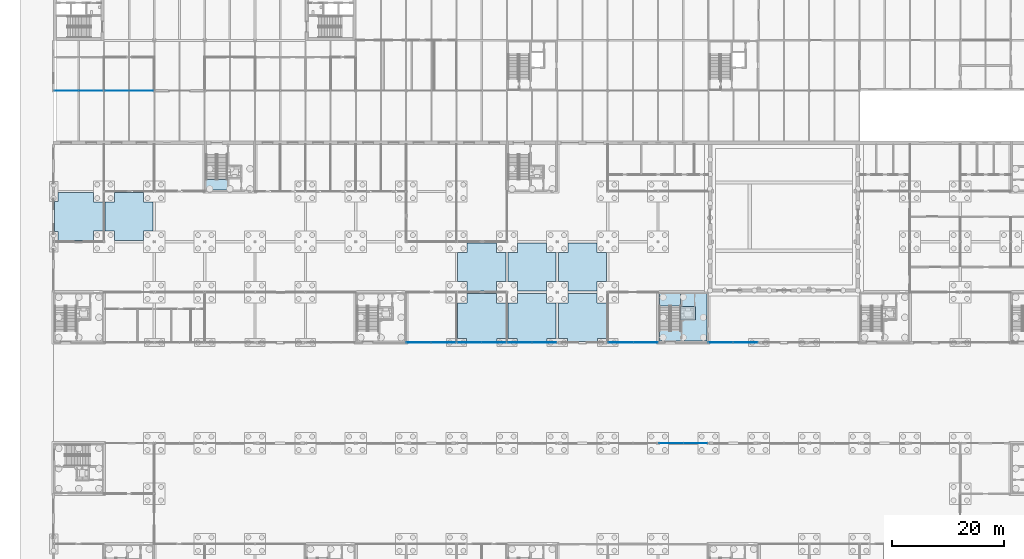
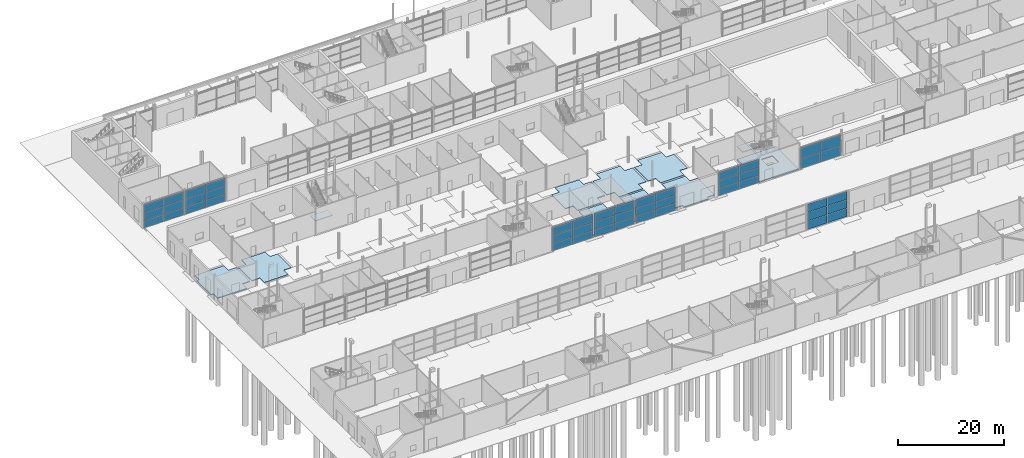
# One storey, part 55 of 97: 46 plates, 12 slabs, 10 elements without a shape of their own.
"""IFC4 building model written with IfcOpenShell, lengths in metres."""

from ifc_helpers import new_model, si_unit, direction, frame, origin, origin_2d, place, context, subcontext, project, spatial, polyline, rectangle, outline, extrude, material, layer, layer_set, type_object, element, aggregate, save


model = new_model("IFC4")

# Units and contexts
model_context = context("Model", 3, precision=1e-05, world=origin(), true_north=direction((0.0, 1.0)))
body_context = subcontext(model_context, "Body", "Model", "MODEL_VIEW")
ifc_project = project(units=[si_unit("LENGTHUNIT", "METRE"), si_unit("AREAUNIT", "SQUARE_METRE"), si_unit("VOLUMEUNIT", "CUBIC_METRE"), si_unit("PLANEANGLEUNIT", "RADIAN"), si_unit("MASSUNIT", "GRAM", prefix="KILO")], contexts=[model_context])

# Site, building, storey
site_placement = place(None, origin())
site = spatial("IfcSite", under=ifc_project, at=site_placement, CompositionType="ELEMENT")
building_placement = place(site_placement, origin())
building = spatial("IfcBuilding", under=site, at=building_placement, Name="Corbel Yard City Hall", CompositionType="ELEMENT")
storey_placement = place(building_placement, origin())
storey = spatial("IfcBuildingStorey", under=building, at=storey_placement, Name="L00", CompositionType="ELEMENT", Elevation=0.0)

# Slabs
ifc_material_1 = material(Name="Concrete N40 (40 MPa)", Category="concrete")
ifc_layer_1 = layer(ifc_material_1, 0.25)
ifc_layer_set_1 = layer_set([ifc_layer_1], Name="Concrete N40 (40 MPa)")
slab_type_1 = type_object("IfcSlabType", Name="CF1", PredefinedType="FLOOR", material=ifc_layer_set_1)
slab_1_placement = place(storey_placement, frame((0.0, 0.0, -0.25)))
element("IfcSlab", 1, at=slab_1_placement, inside=storey, type_object=slab_type_1, Name="Core floor slab", PredefinedType="FLOOR", context=body_context, shape_type="SweptSolid", body=[
    extrude(outline(polyline([(108.25, 45.25), (116.75, 45.25), (116.75, 53.75), (108.25, 53.75), (108.25, 45.25)]), holes=[polyline([(114.64990234375, 51.39990234375), (112.300048828125, 51.39990234375), (112.300048828125, 49.0), (114.64990234375, 49.0), (114.64990234375, 51.39990234375)])]), origin(), (0.0, 0.0, 1.0), 0.25),
])
ifc_layer_2 = layer(ifc_material_1, 0.300048828125)
ifc_layer_set_2 = layer_set([ifc_layer_2], Name="Concrete N40 (40 MPa)")
slab_type_2 = type_object("IfcSlabType", Name="CF2", PredefinedType="BASESLAB", material=ifc_layer_set_2)
slab_2_placement = place(storey_placement, frame((0.0, 0.0, -1.699951171875)))
element("IfcSlab", 2, at=slab_2_placement, inside=storey, type_object=slab_type_2, Name="Lift LP10 pit slab", PredefinedType="BASESLAB", context=body_context, shape_type="SweptSolid", body=[
    extrude(outline(polyline([(112.050048828125, 49.0), (114.64990234375, 49.0), (114.64990234375, 51.39990234375), (112.050048828125, 51.39990234375), (112.050048828125, 49.0)])), origin(), (0.0, 0.0, 1.0), 0.300048828125),
])
ifc_layer_3 = layer(ifc_material_1, 0.199951171875)
ifc_layer_set_3 = layer_set([ifc_layer_3], Name="Concrete N40 (40 MPa)")
slab_type_3 = type_object("IfcSlabType", Name="Ground slab 200", PredefinedType="BASESLAB", material=ifc_layer_set_3)
slab_3_placement = place(storey_placement, frame((0.0, 0.0, -0.199951171875)))
element("IfcSlab", 3, at=slab_3_placement, inside=storey, type_object=slab_type_3, Name="Ground slab on grade Citizens' Service Centre block", PredefinedType="BASESLAB", context=body_context, shape_type="SweptSolid", body=[
    extrude(outline(polyline([(73.800048828125, 45.199951171875), (79.199951171875, 45.199951171875), (79.199951171875, 45.75), (80.800048828125, 45.75), (80.800048828125, 52.10009765625), (79.10009765625, 52.10009765625), (79.10009765625, 53.800048828125), (73.89990234375, 53.800048828125), (73.89990234375, 52.10009765625), (72.199951171875, 52.10009765625), (72.199951171875, 45.75), (73.800048828125, 45.75), (73.800048828125, 45.199951171875)])), origin(), (0.0, 0.0, 1.0), 0.199951171875),
])
slab_4_placement = place(storey_placement, frame((0.0, 0.0, -0.199951171875)))
element("IfcSlab", 4, at=slab_4_placement, inside=storey, type_object=slab_type_3, Name="Ground slab on grade Citizens' Service Centre block", PredefinedType="BASESLAB", context=body_context, shape_type="SweptSolid", body=[
    extrude(outline(polyline([(79.10009765625, 55.89990234375), (80.800048828125, 55.89990234375), (80.800048828125, 61.10009765625), (79.10009765625, 61.10009765625), (79.10009765625, 62.800048828125), (73.89990234375, 62.800048828125), (73.89990234375, 61.10009765625), (72.199951171875, 61.10009765625), (72.199951171875, 55.89990234375), (73.89990234375, 55.89990234375), (73.89990234375, 54.199951171875), (79.10009765625, 54.199951171875), (79.10009765625, 55.89990234375)])), origin(), (0.0, 0.0, 1.0), 0.199951171875),
])
slab_5_placement = place(storey_placement, frame((0.0, 0.0, -0.199951171875)))
element("IfcSlab", 5, at=slab_5_placement, inside=storey, type_object=slab_type_3, Name="Ground slab on grade Citizens' Service Centre block", PredefinedType="BASESLAB", context=body_context, shape_type="SweptSolid", body=[
    extrude(outline(polyline([(0.199951171875, 64.800048828125), (0.75, 64.800048828125), (0.75, 63.199951171875), (7.10009765625, 63.199951171875), (7.10009765625, 64.89990234375), (8.800048828125, 64.89990234375), (8.800048828125, 70.10009765625), (7.10009765625, 70.10009765625), (7.10009765625, 71.800048828125), (0.75, 71.800048828125), (0.75, 70.199951171875), (0.199951171875, 70.199951171875), (0.199951171875, 64.800048828125)])), origin(), (0.0, 0.0, 1.0), 0.199951171875),
])
slab_6_placement = place(storey_placement, frame((0.0, 0.0, -0.199951171875)))
element("IfcSlab", 6, at=slab_6_placement, inside=storey, type_object=slab_type_3, Name="Ground slab on grade Citizens' Service Centre block", PredefinedType="BASESLAB", context=body_context, shape_type="SweptSolid", body=[
    extrude(outline(polyline([(10.89990234375, 71.800048828125), (10.89990234375, 70.10009765625), (9.199951171875, 70.10009765625), (9.199951171875, 64.89990234375), (10.89990234375, 64.89990234375), (10.89990234375, 63.199951171875), (16.10009765625, 63.199951171875), (16.10009765625, 64.89990234375), (17.800048828125, 64.89990234375), (17.800048828125, 70.10009765625), (16.10009765625, 70.10009765625), (16.10009765625, 71.800048828125), (10.89990234375, 71.800048828125)])), origin(), (0.0, 0.0, 1.0), 0.199951171875),
])
slab_7_placement = place(storey_placement, frame((0.0, 0.0, -0.199951171875)))
element("IfcSlab", 7, at=slab_7_placement, inside=storey, type_object=slab_type_3, Name="Ground slab on grade Civic Foyer", PredefinedType="BASESLAB", context=body_context, shape_type="SweptSolid", body=[
    extrude(outline(polyline([(81.199951171875, 52.10009765625), (81.199951171875, 45.75), (82.800048828125, 45.75), (82.800048828125, 45.199951171875), (88.199951171875, 45.199951171875), (88.199951171875, 45.75), (89.800048828125, 45.75), (89.800048828125, 52.10009765625), (88.10009765625, 52.10009765625), (88.10009765625, 53.800048828125), (82.89990234375, 53.800048828125), (82.89990234375, 52.10009765625), (81.199951171875, 52.10009765625)])), origin(), (0.0, 0.0, 1.0), 0.199951171875),
])
slab_8_placement = place(storey_placement, frame((0.0, 0.0, -0.199951171875)))
element("IfcSlab", 8, at=slab_8_placement, inside=storey, type_object=slab_type_3, Name="Ground slab on grade Civic Foyer", PredefinedType="BASESLAB", context=body_context, shape_type="SweptSolid", body=[
    extrude(outline(polyline([(98.800048828125, 52.10009765625), (97.10009765625, 52.10009765625), (97.10009765625, 53.800048828125), (91.89990234375, 53.800048828125), (91.89990234375, 52.10009765625), (90.199951171875, 52.10009765625), (90.199951171875, 45.75), (91.800048828125, 45.75), (91.800048828125, 45.199951171875), (97.199951171875, 45.199951171875), (97.199951171875, 45.75), (98.800048828125, 45.75), (98.800048828125, 52.10009765625)])), origin(), (0.0, 0.0, 1.0), 0.199951171875),
])
slab_9_placement = place(storey_placement, frame((0.0, 0.0, -0.199951171875)))
element("IfcSlab", 9, at=slab_9_placement, inside=storey, type_object=slab_type_3, Name="Ground slab on grade Civic Foyer", PredefinedType="BASESLAB", context=body_context, shape_type="SweptSolid", body=[
    extrude(outline(polyline([(82.89990234375, 55.89990234375), (82.89990234375, 54.199951171875), (88.10009765625, 54.199951171875), (88.10009765625, 55.89990234375), (89.800048828125, 55.89990234375), (89.800048828125, 61.10009765625), (88.10009765625, 61.10009765625), (88.10009765625, 62.800048828125), (82.89990234375, 62.800048828125), (82.89990234375, 61.10009765625), (81.199951171875, 61.10009765625), (81.199951171875, 55.89990234375), (82.89990234375, 55.89990234375)])), origin(), (0.0, 0.0, 1.0), 0.199951171875),
])
slab_10_placement = place(storey_placement, frame((0.0, 0.0, -0.199951171875)))
element("IfcSlab", 10, at=slab_10_placement, inside=storey, type_object=slab_type_3, Name="Ground slab on grade Civic Foyer", PredefinedType="BASESLAB", context=body_context, shape_type="SweptSolid", body=[
    extrude(outline(polyline([(97.10009765625, 62.800048828125), (91.89990234375, 62.800048828125), (91.89990234375, 61.10009765625), (90.199951171875, 61.10009765625), (90.199951171875, 55.89990234375), (91.89990234375, 55.89990234375), (91.89990234375, 54.199951171875), (97.10009765625, 54.199951171875), (97.10009765625, 55.89990234375), (98.800048828125, 55.89990234375), (98.800048828125, 61.10009765625), (97.10009765625, 61.10009765625), (97.10009765625, 62.800048828125)])), origin(), (0.0, 0.0, 1.0), 0.199951171875),
])

# Stair, slab
stair_type = type_object("IfcStairType", Name="ST2", PredefinedType="HALF_TURN_STAIR", material=ifc_material_1)
stair_1_placement = place(storey_placement, origin())
stair_1 = element("IfcStair", 11, at=stair_1_placement, inside=storey, type_object=stair_type, Name="Exit stair L00", PredefinedType="HALF_TURN_STAIR")
ifc_layer_4 = layer(ifc_material_1, 0.199951171875)
ifc_layer_set_4 = layer_set([ifc_layer_4], Name="Concrete N40 (40 MPa)")
slab_type_4 = type_object("IfcSlabType", Name="LN1", PredefinedType="LANDING", material=ifc_layer_set_4)
slab_11_placement = place(storey_placement, frame((0.0, 0.0, 2.800048828125)))
slab_11 = element("IfcSlab", 12, at=slab_11_placement, type_object=slab_type_4, Name="PS10 landing 1", PredefinedType="LANDING", context=body_context, shape_type="SweptSolid", body=[
    extrude(outline(polyline([(108.25, 51.530029296875), (112.050048828125, 51.530029296875), (112.050048828125, 53.75), (108.25, 53.75), (108.25, 51.530029296875)])), origin(), (0.0, 0.0, 1.0), 0.199951171875),
])
aggregate(stair_1, [slab_11])

stair_2_placement = place(storey_placement, origin())
stair_2 = element("IfcStair", 13, at=stair_2_placement, inside=storey, type_object=stair_type, Name="Exit stair L00", PredefinedType="HALF_TURN_STAIR")
slab_12_placement = place(storey_placement, frame((0.0, 0.0, 2.800048828125)))
slab_12 = element("IfcSlab", 14, at=slab_12_placement, type_object=slab_type_4, Name="PS13 landing 1", PredefinedType="LANDING", context=body_context, shape_type="SweptSolid", body=[
    extrude(outline(polyline([(27.25, 72.25), (31.050048828125, 72.25), (31.050048828125, 74.1201171875), (27.25, 74.1201171875), (27.25, 72.25)])), origin(), (0.0, 0.0, 1.0), 0.199951171875),
])
aggregate(stair_2, [slab_12])

# Curtain wall, plates
ifc_material_2 = material(Name="Aluminium extrusion", Category="aluminium")
ifc_layer_5 = layer(ifc_material_2, 0.25)
ifc_layer_set_5 = layer_set([ifc_layer_5], Name="Aluminium extrusion")
curtain_wall_type_1 = type_object("IfcCurtainWallType", Name="CW4", PredefinedType="USERDEFINED", material=ifc_layer_set_5)
curtain_wall_1_placement = place(storey_placement, origin())
curtain_wall_1 = element("IfcCurtainWall", 15, at=curtain_wall_1_placement, inside=storey, type_object=curtain_wall_type_1, Name="Curtain wall CW4 L00", ObjectType="CURTAIN WALL", PredefinedType="USERDEFINED")
ifc_material_3 = material(Name="Laminated toughened storefront glass", Category="glass")
ifc_layer_6 = layer(ifc_material_3, 0.0400390625)
ifc_layer_set_6 = layer_set([ifc_layer_6], Name="Laminated toughened storefront glass")
plate_type_1 = type_object("IfcPlateType", Name="PN5", PredefinedType="CURTAIN_PANEL", material=ifc_layer_set_6)
plate_1_placement = place(storey_placement, frame((65.226806640625, 45.0, 0.06494140625), z_axis=(0.0, 0.0, 1.0), x_axis=(1.0, 0.0, 0.0)))
plate_1 = element("IfcPlate", 16, at=plate_1_placement, type_object=plate_type_1, Name="CW4 panel 1.1", PredefinedType="CURTAIN_PANEL", context=body_context, shape_type="SweptSolid", body=[
    extrude(rectangle(XDim=4.32373046875, YDim=0.0400390625, at=origin_2d()), origin(), (0.0, 0.0, 1.0), 1.71728515625),
])
plate_2_placement = place(storey_placement, frame((65.226806640625, 45.0, 1.84716796875), z_axis=(0.0, 0.0, 1.0), x_axis=(1.0, 0.0, 0.0)))
plate_2 = element("IfcPlate", 17, at=plate_2_placement, type_object=plate_type_1, Name="CW4 panel 1.2", PredefinedType="CURTAIN_PANEL", context=body_context, shape_type="SweptSolid", body=[
    extrude(rectangle(XDim=4.32373046875, YDim=0.0400390625, at=origin_2d()), origin(), (0.0, 0.0, 1.0), 1.749755859375),
])
plate_3_placement = place(storey_placement, frame((65.226806640625, 45.0, 3.661865234375), z_axis=(0.0, 0.0, 1.0), x_axis=(1.0, 0.0, 0.0)))
plate_3 = element("IfcPlate", 18, at=plate_3_placement, type_object=plate_type_1, Name="CW4 panel 1.3", PredefinedType="CURTAIN_PANEL", context=body_context, shape_type="SweptSolid", body=[
    extrude(rectangle(XDim=4.32373046875, YDim=0.0400390625, at=origin_2d()), origin(), (0.0, 0.0, 1.0), 1.71728515625),
])
plate_4_placement = place(storey_placement, frame((69.61572265625, 45.0, 0.06494140625), z_axis=(0.0, 0.0, 1.0), x_axis=(1.0, 0.0, 0.0)))
plate_4 = element("IfcPlate", 19, at=plate_4_placement, type_object=plate_type_1, Name="CW4 panel 2.1", PredefinedType="CURTAIN_PANEL", context=body_context, shape_type="SweptSolid", body=[
    extrude(rectangle(XDim=4.32373046875, YDim=0.0400390625, at=origin_2d()), origin(), (0.0, 0.0, 1.0), 1.71728515625),
])
plate_5_placement = place(storey_placement, frame((69.61572265625, 45.0, 1.84716796875), z_axis=(0.0, 0.0, 1.0), x_axis=(1.0, 0.0, 0.0)))
plate_5 = element("IfcPlate", 20, at=plate_5_placement, type_object=plate_type_1, Name="CW4 panel 2.2", PredefinedType="CURTAIN_PANEL", context=body_context, shape_type="SweptSolid", body=[
    extrude(rectangle(XDim=4.32373046875, YDim=0.0400390625, at=origin_2d()), origin(), (0.0, 0.0, 1.0), 1.749755859375),
])
plate_6_placement = place(storey_placement, frame((69.61572265625, 45.0, 3.661865234375), z_axis=(0.0, 0.0, 1.0), x_axis=(1.0, 0.0, 0.0)))
plate_6 = element("IfcPlate", 21, at=plate_6_placement, type_object=plate_type_1, Name="CW4 panel 2.3", PredefinedType="CURTAIN_PANEL", context=body_context, shape_type="SweptSolid", body=[
    extrude(rectangle(XDim=4.32373046875, YDim=0.0400390625, at=origin_2d()), origin(), (0.0, 0.0, 1.0), 1.71728515625),
])
aggregate(curtain_wall_1, [plate_1, plate_2, plate_3, plate_4, plate_5, plate_6])

curtain_wall_2_placement = place(storey_placement, origin())
curtain_wall_2 = element("IfcCurtainWall", 22, at=curtain_wall_2_placement, inside=storey, type_object=curtain_wall_type_1, Name="Curtain wall CW4 L00", ObjectType="CURTAIN WALL", PredefinedType="USERDEFINED")
plate_7_placement = place(storey_placement, frame((74.344970703125, 45.0, 0.06494140625), z_axis=(0.0, 0.0, 1.0), x_axis=(1.0, 0.0, 0.0)))
plate_7 = element("IfcPlate", 23, at=plate_7_placement, type_object=plate_type_1, Name="CW4 panel 1.1", PredefinedType="CURTAIN_PANEL", context=body_context, shape_type="SweptSolid", body=[
    extrude(rectangle(XDim=4.2451171875, YDim=0.0400390625, at=origin_2d()), origin(), (0.0, 0.0, 1.0), 1.71728515625),
])
plate_8_placement = place(storey_placement, frame((74.344970703125, 45.0, 1.84716796875), z_axis=(0.0, 0.0, 1.0), x_axis=(1.0, 0.0, 0.0)))
plate_8 = element("IfcPlate", 24, at=plate_8_placement, type_object=plate_type_1, Name="CW4 panel 1.2", PredefinedType="CURTAIN_PANEL", context=body_context, shape_type="SweptSolid", body=[
    extrude(rectangle(XDim=4.2451171875, YDim=0.0400390625, at=origin_2d()), origin(), (0.0, 0.0, 1.0), 1.749755859375),
])
plate_9_placement = place(storey_placement, frame((74.344970703125, 45.0, 3.661865234375), z_axis=(0.0, 0.0, 1.0), x_axis=(1.0, 0.0, 0.0)))
plate_9 = element("IfcPlate", 25, at=plate_9_placement, type_object=plate_type_1, Name="CW4 panel 1.3", PredefinedType="CURTAIN_PANEL", context=body_context, shape_type="SweptSolid", body=[
    extrude(rectangle(XDim=4.2451171875, YDim=0.0400390625, at=origin_2d()), origin(), (0.0, 0.0, 1.0), 1.71728515625),
])
plate_10_placement = place(storey_placement, frame((78.655029296875, 45.0, 0.06494140625), z_axis=(0.0, 0.0, 1.0), x_axis=(1.0, 0.0, 0.0)))
plate_10 = element("IfcPlate", 26, at=plate_10_placement, type_object=plate_type_1, Name="CW4 panel 2.1", PredefinedType="CURTAIN_PANEL", context=body_context, shape_type="SweptSolid", body=[
    extrude(rectangle(XDim=4.2451171875, YDim=0.0400390625, at=origin_2d()), origin(), (0.0, 0.0, 1.0), 1.71728515625),
])
plate_11_placement = place(storey_placement, frame((78.655029296875, 45.0, 1.84716796875), z_axis=(0.0, 0.0, 1.0), x_axis=(1.0, 0.0, 0.0)))
plate_11 = element("IfcPlate", 27, at=plate_11_placement, type_object=plate_type_1, Name="CW4 panel 2.2", PredefinedType="CURTAIN_PANEL", context=body_context, shape_type="SweptSolid", body=[
    extrude(rectangle(XDim=4.2451171875, YDim=0.0400390625, at=origin_2d()), origin(), (0.0, 0.0, 1.0), 1.749755859375),
])
plate_12_placement = place(storey_placement, frame((78.655029296875, 45.0, 3.661865234375), z_axis=(0.0, 0.0, 1.0), x_axis=(1.0, 0.0, 0.0)))
plate_12 = element("IfcPlate", 28, at=plate_12_placement, type_object=plate_type_1, Name="CW4 panel 2.3", PredefinedType="CURTAIN_PANEL", context=body_context, shape_type="SweptSolid", body=[
    extrude(rectangle(XDim=4.2451171875, YDim=0.0400390625, at=origin_2d()), origin(), (0.0, 0.0, 1.0), 1.71728515625),
])
aggregate(curtain_wall_2, [plate_7, plate_8, plate_9, plate_10, plate_11, plate_12])

curtain_wall_3_placement = place(storey_placement, origin())
curtain_wall_3 = element("IfcCurtainWall", 29, at=curtain_wall_3_placement, inside=storey, type_object=curtain_wall_type_1, Name="Curtain wall CW4 L00", ObjectType="CURTAIN WALL", PredefinedType="USERDEFINED")
plate_13_placement = place(storey_placement, frame((83.344970703125, 45.0, 0.06494140625), z_axis=(0.0, 0.0, 1.0), x_axis=(1.0, 0.0, 0.0)))
plate_13 = element("IfcPlate", 30, at=plate_13_placement, type_object=plate_type_1, Name="CW4 panel 1.1", PredefinedType="CURTAIN_PANEL", context=body_context, shape_type="SweptSolid", body=[
    extrude(rectangle(XDim=4.2451171875, YDim=0.0400390625, at=origin_2d()), origin(), (0.0, 0.0, 1.0), 1.71728515625),
])
plate_14_placement = place(storey_placement, frame((83.344970703125, 45.0, 1.84716796875), z_axis=(0.0, 0.0, 1.0), x_axis=(1.0, 0.0, 0.0)))
plate_14 = element("IfcPlate", 31, at=plate_14_placement, type_object=plate_type_1, Name="CW4 panel 1.2", PredefinedType="CURTAIN_PANEL", context=body_context, shape_type="SweptSolid", body=[
    extrude(rectangle(XDim=4.2451171875, YDim=0.0400390625, at=origin_2d()), origin(), (0.0, 0.0, 1.0), 1.749755859375),
])
plate_15_placement = place(storey_placement, frame((83.344970703125, 45.0, 3.661865234375), z_axis=(0.0, 0.0, 1.0), x_axis=(1.0, 0.0, 0.0)))
plate_15 = element("IfcPlate", 32, at=plate_15_placement, type_object=plate_type_1, Name="CW4 panel 1.3", PredefinedType="CURTAIN_PANEL", context=body_context, shape_type="SweptSolid", body=[
    extrude(rectangle(XDim=4.2451171875, YDim=0.0400390625, at=origin_2d()), origin(), (0.0, 0.0, 1.0), 1.71728515625),
])
plate_16_placement = place(storey_placement, frame((87.655029296875, 45.0, 0.06494140625), z_axis=(0.0, 0.0, 1.0), x_axis=(1.0, 0.0, 0.0)))
plate_16 = element("IfcPlate", 33, at=plate_16_placement, type_object=plate_type_1, Name="CW4 panel 2.1", PredefinedType="CURTAIN_PANEL", context=body_context, shape_type="SweptSolid", body=[
    extrude(rectangle(XDim=4.2451171875, YDim=0.0400390625, at=origin_2d()), origin(), (0.0, 0.0, 1.0), 1.71728515625),
])
plate_17_placement = place(storey_placement, frame((87.655029296875, 45.0, 1.84716796875), z_axis=(0.0, 0.0, 1.0), x_axis=(1.0, 0.0, 0.0)))
plate_17 = element("IfcPlate", 34, at=plate_17_placement, type_object=plate_type_1, Name="CW4 panel 2.2", PredefinedType="CURTAIN_PANEL", context=body_context, shape_type="SweptSolid", body=[
    extrude(rectangle(XDim=4.2451171875, YDim=0.0400390625, at=origin_2d()), origin(), (0.0, 0.0, 1.0), 1.749755859375),
])
plate_18_placement = place(storey_placement, frame((87.655029296875, 45.0, 3.661865234375), z_axis=(0.0, 0.0, 1.0), x_axis=(1.0, 0.0, 0.0)))
plate_18 = element("IfcPlate", 35, at=plate_18_placement, type_object=plate_type_1, Name="CW4 panel 2.3", PredefinedType="CURTAIN_PANEL", context=body_context, shape_type="SweptSolid", body=[
    extrude(rectangle(XDim=4.2451171875, YDim=0.0400390625, at=origin_2d()), origin(), (0.0, 0.0, 1.0), 1.71728515625),
])
aggregate(curtain_wall_3, [plate_13, plate_14, plate_15, plate_16, plate_17, plate_18])

curtain_wall_4_placement = place(storey_placement, origin())
curtain_wall_4 = element("IfcCurtainWall", 36, at=curtain_wall_4_placement, inside=storey, type_object=curtain_wall_type_1, Name="Curtain wall CW4 L00", ObjectType="CURTAIN WALL", PredefinedType="USERDEFINED")
plate_19_placement = place(storey_placement, frame((101.38427734375, 45.0, 0.06494140625), z_axis=(0.0, 0.0, 1.0), x_axis=(1.0, 0.0, 0.0)))
plate_19 = element("IfcPlate", 37, at=plate_19_placement, type_object=plate_type_1, Name="CW4 panel 1.1", PredefinedType="CURTAIN_PANEL", context=body_context, shape_type="SweptSolid", body=[
    extrude(rectangle(XDim=4.32373046875, YDim=0.0400390625, at=origin_2d()), origin(), (0.0, 0.0, 1.0), 1.71728515625),
])
plate_20_placement = place(storey_placement, frame((101.38427734375, 45.0, 1.84716796875), z_axis=(0.0, 0.0, 1.0), x_axis=(1.0, 0.0, 0.0)))
plate_20 = element("IfcPlate", 38, at=plate_20_placement, type_object=plate_type_1, Name="CW4 panel 1.2", PredefinedType="CURTAIN_PANEL", context=body_context, shape_type="SweptSolid", body=[
    extrude(rectangle(XDim=4.32373046875, YDim=0.0400390625, at=origin_2d()), origin(), (0.0, 0.0, 1.0), 1.749755859375),
])
plate_21_placement = place(storey_placement, frame((101.38427734375, 45.0, 3.661865234375), z_axis=(0.0, 0.0, 1.0), x_axis=(1.0, 0.0, 0.0)))
plate_21 = element("IfcPlate", 39, at=plate_21_placement, type_object=plate_type_1, Name="CW4 panel 1.3", PredefinedType="CURTAIN_PANEL", context=body_context, shape_type="SweptSolid", body=[
    extrude(rectangle(XDim=4.32373046875, YDim=0.0400390625, at=origin_2d()), origin(), (0.0, 0.0, 1.0), 1.71728515625),
])
plate_22_placement = place(storey_placement, frame((105.773193359375, 45.0, 0.06494140625), z_axis=(0.0, 0.0, 1.0), x_axis=(1.0, 0.0, 0.0)))
plate_22 = element("IfcPlate", 40, at=plate_22_placement, type_object=plate_type_1, Name="CW4 panel 2.1", PredefinedType="CURTAIN_PANEL", context=body_context, shape_type="SweptSolid", body=[
    extrude(rectangle(XDim=4.32373046875, YDim=0.0400390625, at=origin_2d()), origin(), (0.0, 0.0, 1.0), 1.71728515625),
])
plate_23_placement = place(storey_placement, frame((105.773193359375, 45.0, 1.84716796875), z_axis=(0.0, 0.0, 1.0), x_axis=(1.0, 0.0, 0.0)))
plate_23 = element("IfcPlate", 41, at=plate_23_placement, type_object=plate_type_1, Name="CW4 panel 2.2", PredefinedType="CURTAIN_PANEL", context=body_context, shape_type="SweptSolid", body=[
    extrude(rectangle(XDim=4.32373046875, YDim=0.0400390625, at=origin_2d()), origin(), (0.0, 0.0, 1.0), 1.749755859375),
])
plate_24_placement = place(storey_placement, frame((105.773193359375, 45.0, 3.661865234375), z_axis=(0.0, 0.0, 1.0), x_axis=(1.0, 0.0, 0.0)))
plate_24 = element("IfcPlate", 42, at=plate_24_placement, type_object=plate_type_1, Name="CW4 panel 2.3", PredefinedType="CURTAIN_PANEL", context=body_context, shape_type="SweptSolid", body=[
    extrude(rectangle(XDim=4.32373046875, YDim=0.0400390625, at=origin_2d()), origin(), (0.0, 0.0, 1.0), 1.71728515625),
])
aggregate(curtain_wall_4, [plate_19, plate_20, plate_21, plate_22, plate_23, plate_24])

curtain_wall_5_placement = place(storey_placement, origin())
curtain_wall_5 = element("IfcCurtainWall", 43, at=curtain_wall_5_placement, inside=storey, type_object=curtain_wall_type_1, Name="Curtain wall CW4 L00", ObjectType="CURTAIN WALL", PredefinedType="USERDEFINED")
plate_25_placement = place(storey_placement, frame((2.344970703125, 90.0, 0.06494140625), z_axis=(0.0, 0.0, 1.0), x_axis=(1.0, 0.0, 0.0)))
plate_25 = element("IfcPlate", 44, at=plate_25_placement, type_object=plate_type_1, Name="CW4 panel 1.1", PredefinedType="CURTAIN_PANEL", context=body_context, shape_type="SweptSolid", body=[
    extrude(rectangle(XDim=4.2451171875, YDim=0.0400390625, at=origin_2d()), origin(), (0.0, 0.0, 1.0), 1.71728515625),
])
plate_26_placement = place(storey_placement, frame((2.344970703125, 90.0, 1.84716796875), z_axis=(0.0, 0.0, 1.0), x_axis=(1.0, 0.0, 0.0)))
plate_26 = element("IfcPlate", 45, at=plate_26_placement, type_object=plate_type_1, Name="CW4 panel 1.2", PredefinedType="CURTAIN_PANEL", context=body_context, shape_type="SweptSolid", body=[
    extrude(rectangle(XDim=4.2451171875, YDim=0.0400390625, at=origin_2d()), origin(), (0.0, 0.0, 1.0), 1.749755859375),
])
plate_27_placement = place(storey_placement, frame((2.344970703125, 90.0, 3.661865234375), z_axis=(0.0, 0.0, 1.0), x_axis=(1.0, 0.0, 0.0)))
plate_27 = element("IfcPlate", 46, at=plate_27_placement, type_object=plate_type_1, Name="CW4 panel 1.3", PredefinedType="CURTAIN_PANEL", context=body_context, shape_type="SweptSolid", body=[
    extrude(rectangle(XDim=4.2451171875, YDim=0.0400390625, at=origin_2d()), origin(), (0.0, 0.0, 1.0), 1.71728515625),
])
plate_28_placement = place(storey_placement, frame((6.655029296875, 90.0, 0.06494140625), z_axis=(0.0, 0.0, 1.0), x_axis=(1.0, 0.0, 0.0)))
plate_28 = element("IfcPlate", 47, at=plate_28_placement, type_object=plate_type_1, Name="CW4 panel 2.1", PredefinedType="CURTAIN_PANEL", context=body_context, shape_type="SweptSolid", body=[
    extrude(rectangle(XDim=4.2451171875, YDim=0.0400390625, at=origin_2d()), origin(), (0.0, 0.0, 1.0), 1.71728515625),
])
plate_29_placement = place(storey_placement, frame((6.655029296875, 90.0, 1.84716796875), z_axis=(0.0, 0.0, 1.0), x_axis=(1.0, 0.0, 0.0)))
plate_29 = element("IfcPlate", 48, at=plate_29_placement, type_object=plate_type_1, Name="CW4 panel 2.2", PredefinedType="CURTAIN_PANEL", context=body_context, shape_type="SweptSolid", body=[
    extrude(rectangle(XDim=4.2451171875, YDim=0.0400390625, at=origin_2d()), origin(), (0.0, 0.0, 1.0), 1.749755859375),
])
plate_30_placement = place(storey_placement, frame((6.655029296875, 90.0, 3.661865234375), z_axis=(0.0, 0.0, 1.0), x_axis=(1.0, 0.0, 0.0)))
plate_30 = element("IfcPlate", 49, at=plate_30_placement, type_object=plate_type_1, Name="CW4 panel 2.3", PredefinedType="CURTAIN_PANEL", context=body_context, shape_type="SweptSolid", body=[
    extrude(rectangle(XDim=4.2451171875, YDim=0.0400390625, at=origin_2d()), origin(), (0.0, 0.0, 1.0), 1.71728515625),
])
aggregate(curtain_wall_5, [plate_25, plate_26, plate_27, plate_28, plate_29, plate_30])

curtain_wall_6_placement = place(storey_placement, origin())
curtain_wall_6 = element("IfcCurtainWall", 50, at=curtain_wall_6_placement, inside=storey, type_object=curtain_wall_type_1, Name="Curtain wall CW4 L00", ObjectType="CURTAIN WALL", PredefinedType="USERDEFINED")
plate_31_placement = place(storey_placement, frame((11.344970703125, 90.0, 0.06494140625), z_axis=(0.0, 0.0, 1.0), x_axis=(1.0, 0.0, 0.0)))
plate_31 = element("IfcPlate", 51, at=plate_31_placement, type_object=plate_type_1, Name="CW4 panel 1.1", PredefinedType="CURTAIN_PANEL", context=body_context, shape_type="SweptSolid", body=[
    extrude(rectangle(XDim=4.2451171875, YDim=0.0400390625, at=origin_2d()), origin(), (0.0, 0.0, 1.0), 1.71728515625),
])
plate_32_placement = place(storey_placement, frame((11.344970703125, 90.0, 1.84716796875), z_axis=(0.0, 0.0, 1.0), x_axis=(1.0, 0.0, 0.0)))
plate_32 = element("IfcPlate", 52, at=plate_32_placement, type_object=plate_type_1, Name="CW4 panel 1.2", PredefinedType="CURTAIN_PANEL", context=body_context, shape_type="SweptSolid", body=[
    extrude(rectangle(XDim=4.2451171875, YDim=0.0400390625, at=origin_2d()), origin(), (0.0, 0.0, 1.0), 1.749755859375),
])
plate_33_placement = place(storey_placement, frame((11.344970703125, 90.0, 3.661865234375), z_axis=(0.0, 0.0, 1.0), x_axis=(1.0, 0.0, 0.0)))
plate_33 = element("IfcPlate", 53, at=plate_33_placement, type_object=plate_type_1, Name="CW4 panel 1.3", PredefinedType="CURTAIN_PANEL", context=body_context, shape_type="SweptSolid", body=[
    extrude(rectangle(XDim=4.2451171875, YDim=0.0400390625, at=origin_2d()), origin(), (0.0, 0.0, 1.0), 1.71728515625),
])
plate_34_placement = place(storey_placement, frame((15.655029296875, 90.0, 0.06494140625), z_axis=(0.0, 0.0, 1.0), x_axis=(1.0, 0.0, 0.0)))
plate_34 = element("IfcPlate", 54, at=plate_34_placement, type_object=plate_type_1, Name="CW4 panel 2.1", PredefinedType="CURTAIN_PANEL", context=body_context, shape_type="SweptSolid", body=[
    extrude(rectangle(XDim=4.2451171875, YDim=0.0400390625, at=origin_2d()), origin(), (0.0, 0.0, 1.0), 1.71728515625),
])
plate_35_placement = place(storey_placement, frame((15.655029296875, 90.0, 1.84716796875), z_axis=(0.0, 0.0, 1.0), x_axis=(1.0, 0.0, 0.0)))
plate_35 = element("IfcPlate", 55, at=plate_35_placement, type_object=plate_type_1, Name="CW4 panel 2.2", PredefinedType="CURTAIN_PANEL", context=body_context, shape_type="SweptSolid", body=[
    extrude(rectangle(XDim=4.2451171875, YDim=0.0400390625, at=origin_2d()), origin(), (0.0, 0.0, 1.0), 1.749755859375),
])
plate_36_placement = place(storey_placement, frame((15.655029296875, 90.0, 3.661865234375), z_axis=(0.0, 0.0, 1.0), x_axis=(1.0, 0.0, 0.0)))
plate_36 = element("IfcPlate", 56, at=plate_36_placement, type_object=plate_type_1, Name="CW4 panel 2.3", PredefinedType="CURTAIN_PANEL", context=body_context, shape_type="SweptSolid", body=[
    extrude(rectangle(XDim=4.2451171875, YDim=0.0400390625, at=origin_2d()), origin(), (0.0, 0.0, 1.0), 1.71728515625),
])
aggregate(curtain_wall_6, [plate_31, plate_32, plate_33, plate_34, plate_35, plate_36])

ifc_layer_7 = layer(ifc_material_2, 0.219970703125)
ifc_layer_set_7 = layer_set([ifc_layer_7], Name="Aluminium extrusion")
curtain_wall_type_2 = type_object("IfcCurtainWallType", Name="CW5", PredefinedType="USERDEFINED", material=ifc_layer_set_7)
curtain_wall_7_placement = place(storey_placement, origin())
curtain_wall_7 = element("IfcCurtainWall", 57, at=curtain_wall_7_placement, inside=storey, type_object=curtain_wall_type_2, Name="Curtain wall CW5 L00", ObjectType="CURTAIN WALL", PredefinedType="USERDEFINED")
ifc_material_4 = material(Name="Acoustic laminated glass", Category="glass")
ifc_layer_8 = layer(ifc_material_4, 0.031982421875)
ifc_layer_set_8 = layer_set([ifc_layer_8], Name="Acoustic laminated glass")
plate_type_2 = type_object("IfcPlateType", Name="PN6", PredefinedType="CURTAIN_PANEL", material=ifc_layer_set_8)
plate_37_placement = place(storey_placement, frame((119.226806640625, 45.0, 0.06494140625), z_axis=(0.0, 0.0, 1.0), x_axis=(1.0, 0.0, 0.0)))
plate_37 = element("IfcPlate", 58, at=plate_37_placement, type_object=plate_type_2, Name="CW5 panel 1.1", PredefinedType="CURTAIN_PANEL", context=body_context, shape_type="SweptSolid", body=[
    extrude(rectangle(XDim=4.32373046875, YDim=0.031982421875, at=origin_2d()), origin(), (0.0, 0.0, 1.0), 2.327392578125),
])
plate_38_placement = place(storey_placement, frame((119.226806640625, 45.0, 2.45751953125), z_axis=(0.0, 0.0, 1.0), x_axis=(1.0, 0.0, 0.0)))
plate_38 = element("IfcPlate", 59, at=plate_38_placement, type_object=plate_type_2, Name="CW5 panel 1.2", PredefinedType="CURTAIN_PANEL", context=body_context, shape_type="SweptSolid", body=[
    extrude(rectangle(XDim=4.32373046875, YDim=0.031982421875, at=origin_2d()), origin(), (0.0, 0.0, 1.0), 2.327392578125),
])
plate_39_placement = place(storey_placement, frame((123.61572265625, 45.0, 0.06494140625), z_axis=(0.0, 0.0, 1.0), x_axis=(1.0, 0.0, 0.0)))
plate_39 = element("IfcPlate", 60, at=plate_39_placement, type_object=plate_type_2, Name="CW5 panel 2.1", PredefinedType="CURTAIN_PANEL", context=body_context, shape_type="SweptSolid", body=[
    extrude(rectangle(XDim=4.32373046875, YDim=0.031982421875, at=origin_2d()), origin(), (0.0, 0.0, 1.0), 2.327392578125),
])
plate_40_placement = place(storey_placement, frame((123.61572265625, 45.0, 2.45751953125), z_axis=(0.0, 0.0, 1.0), x_axis=(1.0, 0.0, 0.0)))
plate_40 = element("IfcPlate", 61, at=plate_40_placement, type_object=plate_type_2, Name="CW5 panel 2.2", PredefinedType="CURTAIN_PANEL", context=body_context, shape_type="SweptSolid", body=[
    extrude(rectangle(XDim=4.32373046875, YDim=0.031982421875, at=origin_2d()), origin(), (0.0, 0.0, 1.0), 2.327392578125),
])
aggregate(curtain_wall_7, [plate_37, plate_38, plate_39, plate_40])

ifc_layer_9 = layer(ifc_material_2, 0.300048828125)
ifc_layer_set_9 = layer_set([ifc_layer_9], Name="Aluminium extrusion")
curtain_wall_type_3 = type_object("IfcCurtainWallType", Name="CW7", PredefinedType="USERDEFINED", material=ifc_layer_set_9)
curtain_wall_8_placement = place(storey_placement, origin())
curtain_wall_8 = element("IfcCurtainWall", 62, at=curtain_wall_8_placement, inside=storey, type_object=curtain_wall_type_3, Name="Curtain wall CW7 L00", ObjectType="CURTAIN WALL", PredefinedType="USERDEFINED")
ifc_material_5 = material(Name="Laminated toughened glass, large format", Category="glass")
ifc_layer_10 = layer(ifc_material_5, 0.048095703125)
ifc_layer_set_10 = layer_set([ifc_layer_10], Name="Laminated toughened glass, large format")
plate_type_3 = type_object("IfcPlateType", Name="PN8", PredefinedType="CURTAIN_PANEL", material=ifc_layer_set_10)
plate_41_placement = place(storey_placement, frame((110.351806640625, 27.0, 0.080078125), z_axis=(0.0, 0.0, 1.0), x_axis=(1.0, 0.0, 0.0)))
plate_41 = element("IfcPlate", 63, at=plate_41_placement, type_object=plate_type_3, Name="CW7 panel 1.1", PredefinedType="CURTAIN_PANEL", context=body_context, shape_type="SweptSolid", body=[
    extrude(rectangle(XDim=4.216552734375, YDim=0.048095703125, at=origin_2d()), origin(), (0.0, 0.0, 1.0), 1.8798828125),
])
plate_42_placement = place(storey_placement, frame((110.351806640625, 27.0, 2.0400390625), z_axis=(0.0, 0.0, 1.0), x_axis=(1.0, 0.0, 0.0)))
plate_42 = element("IfcPlate", 64, at=plate_42_placement, type_object=plate_type_3, Name="CW7 panel 1.2", PredefinedType="CURTAIN_PANEL", context=body_context, shape_type="SweptSolid", body=[
    extrude(rectangle(XDim=4.216552734375, YDim=0.048095703125, at=origin_2d()), origin(), (0.0, 0.0, 1.0), 1.919921875),
])
plate_43_placement = place(storey_placement, frame((110.351806640625, 27.0, 4.0400390625), z_axis=(0.0, 0.0, 1.0), x_axis=(1.0, 0.0, 0.0)))
plate_43 = element("IfcPlate", 65, at=plate_43_placement, type_object=plate_type_3, Name="CW7 panel 1.3", PredefinedType="CURTAIN_PANEL", context=body_context, shape_type="SweptSolid", body=[
    extrude(rectangle(XDim=4.216552734375, YDim=0.048095703125, at=origin_2d()), origin(), (0.0, 0.0, 1.0), 1.8798828125),
])
plate_44_placement = place(storey_placement, frame((114.648193359375, 27.0, 0.080078125), z_axis=(0.0, 0.0, 1.0), x_axis=(1.0, 0.0, 0.0)))
plate_44 = element("IfcPlate", 66, at=plate_44_placement, type_object=plate_type_3, Name="CW7 panel 2.1", PredefinedType="CURTAIN_PANEL", context=body_context, shape_type="SweptSolid", body=[
    extrude(rectangle(XDim=4.216552734375, YDim=0.048095703125, at=origin_2d()), origin(), (0.0, 0.0, 1.0), 1.8798828125),
])
plate_45_placement = place(storey_placement, frame((114.648193359375, 27.0, 2.0400390625), z_axis=(0.0, 0.0, 1.0), x_axis=(1.0, 0.0, 0.0)))
plate_45 = element("IfcPlate", 67, at=plate_45_placement, type_object=plate_type_3, Name="CW7 panel 2.2", PredefinedType="CURTAIN_PANEL", context=body_context, shape_type="SweptSolid", body=[
    extrude(rectangle(XDim=4.216552734375, YDim=0.048095703125, at=origin_2d()), origin(), (0.0, 0.0, 1.0), 1.919921875),
])
plate_46_placement = place(storey_placement, frame((114.648193359375, 27.0, 4.0400390625), z_axis=(0.0, 0.0, 1.0), x_axis=(1.0, 0.0, 0.0)))
plate_46 = element("IfcPlate", 68, at=plate_46_placement, type_object=plate_type_3, Name="CW7 panel 2.3", PredefinedType="CURTAIN_PANEL", context=body_context, shape_type="SweptSolid", body=[
    extrude(rectangle(XDim=4.216552734375, YDim=0.048095703125, at=origin_2d()), origin(), (0.0, 0.0, 1.0), 1.8798828125),
])
aggregate(curtain_wall_8, [plate_41, plate_42, plate_43, plate_44, plate_45, plate_46])

save(model, "model.ifc")
